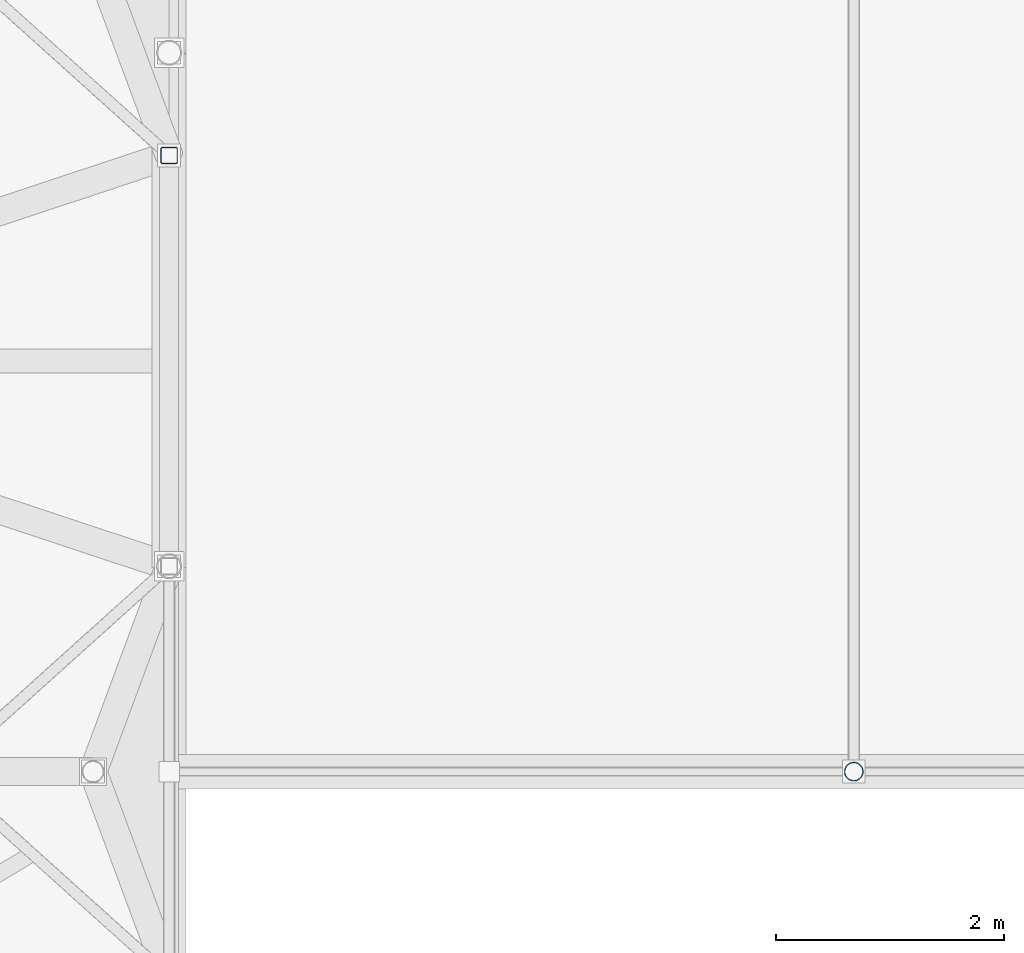
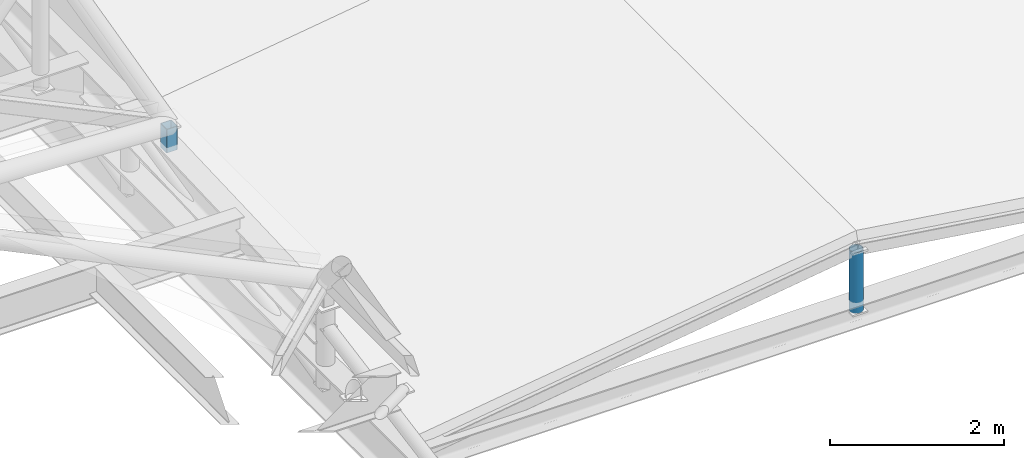
# One storey, part 196 of 239: 2 members.
"""IFC4 building model written with IfcOpenShell, lengths in metres."""

from ifc_helpers import new_model, si_unit, direction, frame, origin, origin_2d, place, context, subcontext, project, spatial, hollow_rectangle, hollow_circle, extrude, material, material_profile, profile_set, type_object, element, save


model = new_model("IFC4")

# Units and contexts
model_context = context("Model", 3, precision=1e-05, world=origin(), true_north=direction((0.0, 1.0)))
body_context = subcontext(model_context, "Body", "Model", "MODEL_VIEW")
ifc_project = project(units=[si_unit("LENGTHUNIT", "METRE"), si_unit("AREAUNIT", "SQUARE_METRE"), si_unit("VOLUMEUNIT", "CUBIC_METRE"), si_unit("PLANEANGLEUNIT", "RADIAN"), si_unit("MASSUNIT", "GRAM", prefix="KILO")], contexts=[model_context])

# Site, building, storey
site_placement = place(None, origin())
site = spatial("IfcSite", under=ifc_project, at=site_placement, CompositionType="ELEMENT")
building_placement = place(site_placement, origin())
building = spatial("IfcBuilding", under=site, at=building_placement, Name="Dunvalen Ferry Terminal", CompositionType="ELEMENT")
storey_placement = place(building_placement, frame((0.0, 0.0, 9.840087890625)))
storey = spatial("IfcBuildingStorey", under=building, at=storey_placement, Name="L02", CompositionType="ELEMENT", Elevation=9.840087890625)

# Members
ifc_material = material(Name="Steel S355", Category="steel")
ifc_material_profile_1 = material_profile(ifc_material, hollow_circle(Radius=0.084228515625, WallThickness=0.008056640625, at=origin_2d()), Name="Steel S355")
ifc_profile_set_1 = profile_set([ifc_material_profile_1], Name="Steel S355")
member_type_1 = type_object("IfcMemberType", Name="STR-MB-CHS168", PredefinedType="BRACE", material=ifc_profile_set_1)
member_1_placement = place(storey_placement, frame((102.0, 57.60009765625, -0.320068359375), z_axis=(0.0, 0.0, 1.0), x_axis=(1.0, 0.0, 0.0)))
element("IfcMember", 1, at=member_1_placement, inside=storey, type_object=member_type_1, Name="Central Covered Passage King Strut 01", PredefinedType="BRACE", context=body_context, shape_type="SweptSolid", body=[
    extrude(hollow_circle(Radius=0.084228515625, WallThickness=0.008056640625, at=origin_2d()), origin(), (0.0, 0.0, 1.0), 0.85986328125),
])
ifc_material_profile_2 = material_profile(ifc_material, hollow_rectangle(XDim=0.14990234375, YDim=0.14990234375, WallThickness=0.008056640625, InnerFilletRadius=0.008056640625, OuterFilletRadius=0.01611328125, at=origin_2d()), Name="Steel S355")
ifc_profile_set_2 = profile_set([ifc_material_profile_2], Name="Steel S355")
member_type_2 = type_object("IfcMemberType", Name="STR-MB-SHS150", PredefinedType="BRACE", material=ifc_profile_set_2)
member_2_placement = place(storey_placement, frame((96.0, 63.0, 0.77001953125), z_axis=(0.0, 0.0, 1.0), x_axis=(1.0, 0.0, 0.0)))
element("IfcMember", 2, at=member_2_placement, inside=storey, type_object=member_type_2, Name="HEX-41 Rim Pedestal Strut 5", PredefinedType="BRACE", context=body_context, shape_type="SweptSolid", body=[
    extrude(hollow_rectangle(XDim=0.14990234375, YDim=0.14990234375, WallThickness=0.008056640625, InnerFilletRadius=0.008056640625, OuterFilletRadius=0.01611328125, at=origin_2d()), origin(), (0.0, 0.0, 1.0), 0.329833984375),
])

save(model, "model.ifc")
